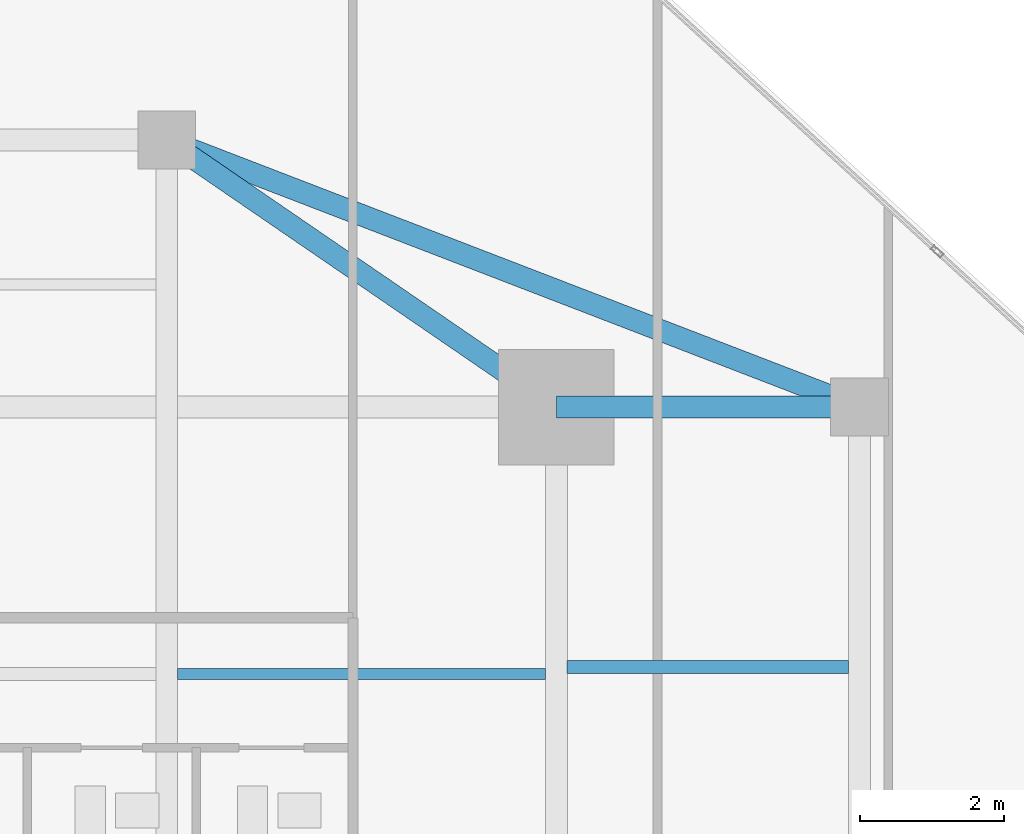
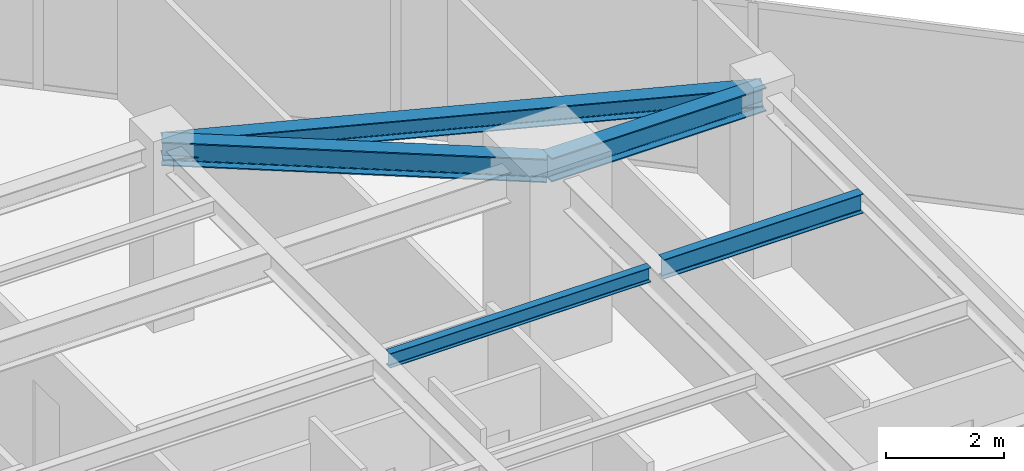
# One storey, part 18 of 26: 5 beams.
"""IFC4 building model written with IfcOpenShell, lengths in metres."""

from ifc_helpers import new_model, si_unit, direction, frame, origin, origin_2d, place, context, subcontext, project, spatial, i_section, extrude, source, transform, mapped, material, material_profile, profile_set, type_object, type_shapes, element, save


model = new_model("IFC4")

# Units and contexts
model_context = context("Model", 3, precision=1e-05, world=origin(), true_north=direction((0.0, 1.0)))
body_context = subcontext(model_context, "Body", "Model", "MODEL_VIEW")
ifc_project = project(units=[si_unit("LENGTHUNIT", "METRE"), si_unit("AREAUNIT", "SQUARE_METRE"), si_unit("VOLUMEUNIT", "CUBIC_METRE"), si_unit("PLANEANGLEUNIT", "RADIAN"), si_unit("MASSUNIT", "GRAM", prefix="KILO")], contexts=[model_context])

# Site, building, storey
site_placement = place(None, origin())
site = spatial("IfcSite", under=ifc_project, at=site_placement, CompositionType="ELEMENT")
building_placement = place(site_placement, origin())
building = spatial("IfcBuilding", under=site, at=building_placement, Name="Krantzveldt Concourse Tower", CompositionType="ELEMENT")
storey_placement = place(building_placement, frame((0.0, 0.0, 219.14990234375)))
storey = spatial("IfcBuildingStorey", under=building, at=storey_placement, Name="L53", CompositionType="ELEMENT", Elevation=219.14990234375)

# Beams
ifc_material = material(Name="Steel S355JR", Category="steel")
ifc_material_profile_1 = material_profile(ifc_material, i_section(OverallWidth=0.300048828125, OverallDepth=0.389892578125, WebThickness=0.010986328125, FlangeThickness=0.01904296875, FilletRadius=0.027099609375, at=origin_2d()), Name="Steel S355JR", Category="steel")
ifc_profile_set_1 = profile_set([ifc_material_profile_1], Name="Steel S355JR - HEA 400")
beam_type_1 = type_object("IfcBeamType", Name="BM-SP-HEA400", PredefinedType="SPANDREL", material=ifc_profile_set_1)
shared_shape_1 = source(origin(), body_context, "Body", "SweptSolid", [
    extrude(i_section(OverallWidth=0.300048828125, OverallDepth=0.389892578125, WebThickness=0.010986328125, FlangeThickness=0.01904296875, FilletRadius=0.027099609375, at=origin_2d()), origin(), (0.0, 0.0, 1.0), 10.288330078125),
])
type_shapes(beam_type_1, [shared_shape_1])
beam_1_placement = place(storey_placement, frame((41.39990234375, 41.199951171875, 3.47509765625), z_axis=(0.933097690408, -0.359622997257, 0.0), x_axis=(0.359622997257, 0.933097690408, 0.0)))
element("IfcBeam", 1, at=beam_1_placement, inside=storey, type_object=beam_type_1, Name="L53 Tower Girder SP-R05", PredefinedType="SPANDREL", context=body_context, shape_type="MappedRepresentation", body=[
    mapped(shared_shape_1, transform((0.0, 0.0, 0.0), x_axis=(1.0, 0.0, 0.0), y_axis=(0.0, 1.0, 0.0), z_axis=(0.0, 0.0, 1.0), scale=1.0)),
])
ifc_material_profile_2 = material_profile(ifc_material, i_section(OverallWidth=0.300048828125, OverallDepth=0.489990234375, WebThickness=0.011962890625, FlangeThickness=0.02294921875, FilletRadius=0.027099609375, at=origin_2d()), Name="Steel S355JR", Category="steel")
ifc_profile_set_2 = profile_set([ifc_material_profile_2], Name="Steel S355JR - HEA 500")
beam_type_2 = type_object("IfcBeamType", Name="BM-B-HEA500", PredefinedType="BEAM", material=ifc_profile_set_2)
shared_shape_2 = source(origin(), body_context, "Body", "SweptSolid", [
    extrude(i_section(OverallWidth=0.300048828125, OverallDepth=0.489990234375, WebThickness=0.011962890625, FlangeThickness=0.02294921875, FilletRadius=0.027099609375, at=origin_2d()), origin(), (0.0, 0.0, 1.0), 4.199951171875),
])
beam_2_placement = place(storey_placement, frame((46.800048828125, 37.5, 3.425048828125), z_axis=(1.0, 0.0, 0.0), x_axis=(0.0, 1.0, 0.0)))
element("IfcBeam", 2, at=beam_2_placement, inside=storey, type_object=beam_type_2, Name="L53 Tower Girder BR-RR3", PredefinedType="BEAM", context=body_context, shape_type="MappedRepresentation", body=[
    mapped(shared_shape_2, transform((0.0, 0.0, 0.0), x_axis=(1.0, 0.0, 0.0), y_axis=(0.0, 1.0, 0.0), z_axis=(0.0, 0.0, 1.0), scale=1.0)),
])
shared_shape_3 = source(origin(), body_context, "Body", "SweptSolid", [
    extrude(i_section(OverallWidth=0.300048828125, OverallDepth=0.489990234375, WebThickness=0.011962890625, FlangeThickness=0.02294921875, FilletRadius=0.027099609375, at=origin_2d()), origin(), (0.0, 0.0, 1.0), 6.546142578125),
])
type_shapes(beam_type_2, [shared_shape_2, shared_shape_3])
beam_3_placement = place(storey_placement, frame((46.800048828125, 37.5, 3.425048828125), z_axis=(-0.824942999484, 0.565215930068, 0.0), x_axis=(-0.565215930068, -0.824942999484, 0.0)))
element("IfcBeam", 3, at=beam_3_placement, inside=storey, type_object=beam_type_2, Name="L53 Tower Girder BR-RR4", PredefinedType="BEAM", context=body_context, shape_type="MappedRepresentation", body=[
    mapped(shared_shape_3, transform((0.0, 0.0, 0.0), x_axis=(1.0, 0.0, 0.0), y_axis=(0.0, 1.0, 0.0), z_axis=(0.0, 0.0, 1.0), scale=1.0)),
])
ifc_material_profile_3 = material_profile(ifc_material, i_section(OverallWidth=0.14990234375, OverallDepth=0.300048828125, WebThickness=0.007080078125, FlangeThickness=0.0107421875, FilletRadius=0.014892578125, at=origin_2d()), Name="Steel S355JR", Category="steel")
ifc_profile_set_3 = profile_set([ifc_material_profile_3], Name="Steel S355JR - IPE 300")
beam_type_3 = type_object("IfcBeamType", Name="BM-J-IPE300", PredefinedType="JOIST", material=ifc_profile_set_3)
shared_shape_4 = source(origin(), body_context, "Body", "SweptSolid", [
    extrude(i_section(OverallWidth=0.14990234375, OverallDepth=0.300048828125, WebThickness=0.007080078125, FlangeThickness=0.0107421875, FilletRadius=0.014892578125, at=origin_2d()), origin(), (0.0, 0.0, 1.0), 5.099853515625),
])
type_shapes(beam_type_3, [shared_shape_4])
beam_4_placement = place(storey_placement, frame((41.550048828125, 33.800048828125, 3.52001953125), z_axis=(1.0, 0.0, 0.0), x_axis=(0.0, 1.0, 0.0)))
element("IfcBeam", 4, at=beam_4_placement, inside=storey, type_object=beam_type_3, Name="L53 Secondary Floor Joist JN-E2", PredefinedType="JOIST", context=body_context, shape_type="MappedRepresentation", body=[
    mapped(shared_shape_4, transform((0.0, 0.0, 0.0), x_axis=(1.0, 0.0, 0.0), y_axis=(0.0, 1.0, 0.0), z_axis=(0.0, 0.0, 1.0), scale=1.0)),
])
ifc_material_profile_4 = material_profile(ifc_material, i_section(OverallWidth=0.179931640625, OverallDepth=0.39990234375, WebThickness=0.008544921875, FlangeThickness=0.013427734375, FilletRadius=0.02099609375, at=origin_2d()), Name="Steel S355JR", Category="steel")
ifc_profile_set_4 = profile_set([ifc_material_profile_4], Name="Steel S355JR - IPE 400")
beam_type_4 = type_object("IfcBeamType", Name="BM-J-IPE400", PredefinedType="JOIST", material=ifc_profile_set_4)
shared_shape_5 = source(origin(), body_context, "Body", "SweptSolid", [
    extrude(i_section(OverallWidth=0.179931640625, OverallDepth=0.39990234375, WebThickness=0.008544921875, FlangeThickness=0.013427734375, FilletRadius=0.02099609375, at=origin_2d()), origin(), (0.0, 0.0, 1.0), 3.900146484375),
])
type_shapes(beam_type_4, [shared_shape_5])
beam_5_placement = place(storey_placement, frame((46.949951171875, 33.89990234375, 3.47021484375), z_axis=(1.0, 0.0, 0.0), x_axis=(0.0, 1.0, 0.0)))
element("IfcBeam", 5, at=beam_5_placement, inside=storey, type_object=beam_type_4, Name="L53 Secondary Floor Joist JE-4", PredefinedType="JOIST", context=body_context, shape_type="MappedRepresentation", body=[
    mapped(shared_shape_5, transform((0.0, 0.0, 0.0), x_axis=(1.0, 0.0, 0.0), y_axis=(0.0, 1.0, 0.0), z_axis=(0.0, 0.0, 1.0), scale=1.0)),
])

save(model, "model.ifc")
